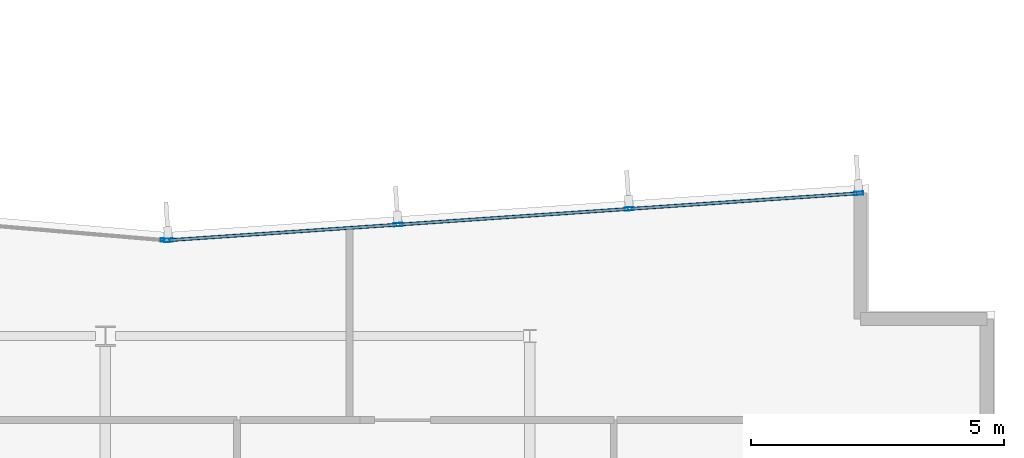
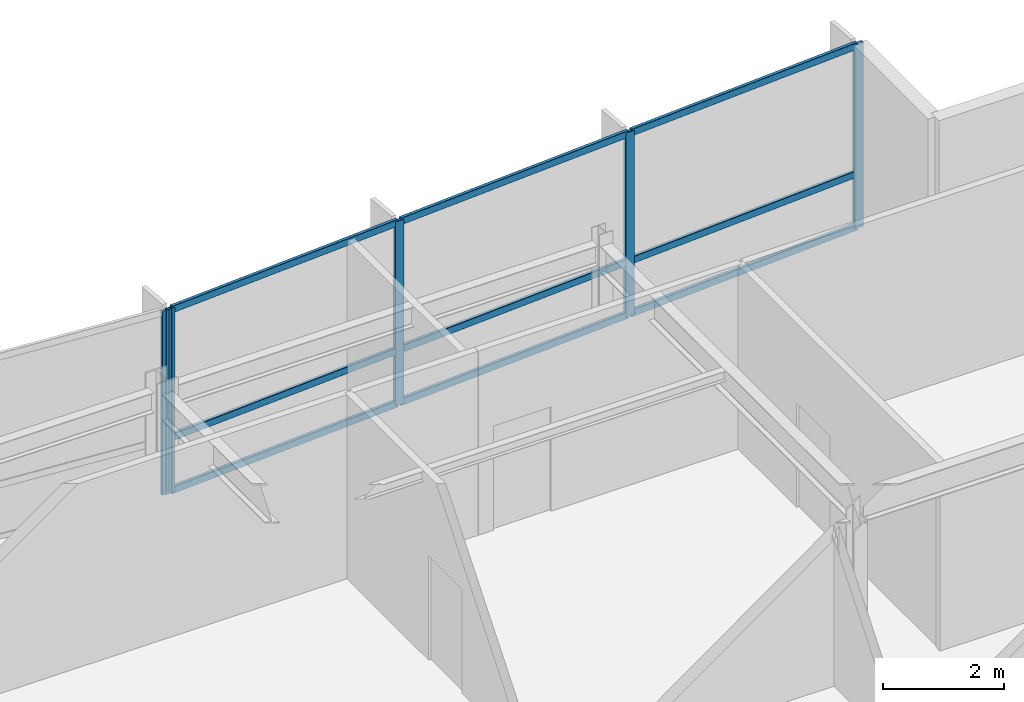
# One storey, part 7 of 15: 14 members, 2 elements without a shape of their own.
"""IFC4 building model written with IfcOpenShell, lengths in metres."""

from ifc_helpers import new_model, si_unit, direction, frame, origin, origin_2d, place, context, subcontext, project, spatial, hollow_rectangle, extrude, material, layer, layer_set, material_profile, profile_set, type_object, element, aggregate, save


model = new_model("IFC4")

# Units and contexts
model_context = context("Model", 3, precision=1e-05, world=origin(), true_north=direction((0.0, 1.0)))
body_context = subcontext(model_context, "Body", "Model", "MODEL_VIEW")
ifc_project = project(units=[si_unit("LENGTHUNIT", "METRE"), si_unit("AREAUNIT", "SQUARE_METRE"), si_unit("VOLUMEUNIT", "CUBIC_METRE"), si_unit("PLANEANGLEUNIT", "RADIAN"), si_unit("MASSUNIT", "GRAM", prefix="KILO")], contexts=[model_context])

# Site, building, storey
site_placement = place(None, origin())
site = spatial("IfcSite", under=ifc_project, at=site_placement, CompositionType="ELEMENT")
building_placement = place(site_placement, origin())
building = spatial("IfcBuilding", under=site, at=building_placement, Name="Varnakote Quay Hospital", CompositionType="ELEMENT")
storey_placement = place(building_placement, frame((0.0, 0.0, 196.050048828125)))
storey = spatial("IfcBuildingStorey", under=building, at=storey_placement, Name="L48", CompositionType="ELEMENT", Elevation=196.050048828125)

# Curtain wall, members
ifc_material_1 = material(Name="Anodised aluminium 6063-T6 Bronze", Category="aluminium")
ifc_layer = layer(ifc_material_1, 0.219970703125)
ifc_layer_set = layer_set([ifc_layer], Name="Anodised aluminium 6063-T6 Bronze")
curtain_wall_type = type_object("IfcCurtainWallType", Name="CW-SYS-4", PredefinedType="NOTDEFINED", material=ifc_layer_set)
curtain_wall_1_placement = place(storey_placement, origin())
curtain_wall_1 = element("IfcCurtainWall", 1, at=curtain_wall_1_placement, inside=storey, type_object=curtain_wall_type, Name="L48 Unitised Bronze Curtain Wall 1", PredefinedType="NOTDEFINED")
ifc_material_2 = material(Name="Anodised aluminium 6063-T6 Bronze", Category="aluminium")
ifc_material_profile_1 = material_profile(ifc_material_2, hollow_rectangle(XDim=0.06494140625, YDim=0.179931640625, WallThickness=0.00390625, InnerFilletRadius=0.00390625, OuterFilletRadius=0.008056640625, at=origin_2d()), Name="CW-MULL-180x65")
ifc_profile_set_1 = profile_set([ifc_material_profile_1], Name="Anodised aluminium 6063-T6 Bronze")
member_type_1 = type_object("IfcMemberType", Name="CW-MULL-180x65", PredefinedType="MULLION", material=ifc_profile_set_1)
member_1_placement = place(storey_placement, frame((48.507568359375, 31.626708984375, 0.0), z_axis=(0.0, 0.0, 1.0), x_axis=(0.067841851077, -0.997696087615, 0.0)))
member_1 = element("IfcMember", 2, at=member_1_placement, type_object=member_type_1, Name="-4-L48-1 mullion 1", PredefinedType="MULLION", context=body_context, shape_type="SweptSolid", body=[
    extrude(hollow_rectangle(XDim=0.06494140625, YDim=0.179931640625, WallThickness=0.00390625, InnerFilletRadius=0.00390625, OuterFilletRadius=0.008056640625, at=origin_2d()), origin(), (0.0, 0.0, 1.0), 3.7099609375),
])
member_2_placement = place(storey_placement, frame((43.96484375, 31.317626953125, 0.0), z_axis=(0.0, 0.0, 1.0), x_axis=(0.067841851077, -0.997696087615, 0.0)))
member_2 = element("IfcMember", 3, at=member_2_placement, type_object=member_type_1, Name="-4-L48-1 mullion 2", PredefinedType="MULLION", context=body_context, shape_type="SweptSolid", body=[
    extrude(hollow_rectangle(XDim=0.06494140625, YDim=0.179931640625, WallThickness=0.00390625, InnerFilletRadius=0.00390625, OuterFilletRadius=0.008056640625, at=origin_2d()), origin(), (0.0, 0.0, 1.0), 3.7099609375),
])
member_3_placement = place(storey_placement, frame((39.389892578125, 31.006591796875, 0.0), z_axis=(0.0, 0.0, 1.0), x_axis=(0.067841851077, -0.997696087615, 0.0)))
member_3 = element("IfcMember", 4, at=member_3_placement, type_object=member_type_1, Name="-4-L48-1 mullion 3", PredefinedType="MULLION", context=body_context, shape_type="SweptSolid", body=[
    extrude(hollow_rectangle(XDim=0.06494140625, YDim=0.179931640625, WallThickness=0.00390625, InnerFilletRadius=0.00390625, OuterFilletRadius=0.008056640625, at=origin_2d()), origin(), (0.0, 0.0, 1.0), 3.7099609375),
])
member_4_placement = place(storey_placement, frame((34.84716796875, 30.69775390625, 0.0), z_axis=(0.0, 0.0, 1.0), x_axis=(0.067841851077, -0.997696087615, 0.0)))
member_4 = element("IfcMember", 5, at=member_4_placement, type_object=member_type_1, Name="-4-L48-1 mullion 4", PredefinedType="MULLION", context=body_context, shape_type="SweptSolid", body=[
    extrude(hollow_rectangle(XDim=0.06494140625, YDim=0.179931640625, WallThickness=0.00390625, InnerFilletRadius=0.00390625, OuterFilletRadius=0.008056640625, at=origin_2d()), origin(), (0.0, 0.0, 1.0), 3.7099609375),
])

# Curtain wall, member
curtain_wall_2_placement = place(storey_placement, origin())
curtain_wall_2 = element("IfcCurtainWall", 6, at=curtain_wall_2_placement, inside=storey, type_object=curtain_wall_type, Name="L48 Unitised Bronze Curtain Wall 2", PredefinedType="NOTDEFINED")
member_5_placement = place(storey_placement, frame((34.7822265625, 30.6982421875, 0.0), z_axis=(0.0, 0.0, 1.0), x_axis=(-0.084136040089, -0.996454277304, 0.0)))
member_5 = element("IfcMember", 7, at=member_5_placement, type_object=member_type_1, Name="-4-L48-2 mullion 1", PredefinedType="MULLION", context=body_context, shape_type="SweptSolid", body=[
    extrude(hollow_rectangle(XDim=0.06494140625, YDim=0.179931640625, WallThickness=0.00390625, InnerFilletRadius=0.00390625, OuterFilletRadius=0.008056640625, at=origin_2d()), origin(), (0.0, 0.0, 1.0), 3.7099609375),
])
aggregate(curtain_wall_2, [member_5])

# Member
ifc_material_3 = material(Name="Anodised aluminium 6063-T6 Bronze", Category="aluminium")
ifc_material_profile_2 = material_profile(ifc_material_3, hollow_rectangle(XDim=0.06494140625, YDim=0.139892578125, WallThickness=0.00390625, InnerFilletRadius=0.00390625, OuterFilletRadius=0.007568359375, at=origin_2d()), Name="CW-TRAN-140x65")
ifc_profile_set_2 = profile_set([ifc_material_profile_2], Name="Anodised aluminium 6063-T6 Bronze")
member_type_2 = type_object("IfcMemberType", Name="CW-TRAN-140x65", PredefinedType="USERDEFINED", material=ifc_profile_set_2)
member_6_placement = place(storey_placement, frame((48.47509765625, 31.62451171875, 0.032470703125), z_axis=(-0.997692996523, -0.067887294022, 0.0), x_axis=(0.067887294022, -0.997692996523, 0.0)))
member_6 = element("IfcMember", 8, at=member_6_placement, type_object=member_type_2, Name="-4-L48-1 transom 1.1", ObjectType="TRANSOM", PredefinedType="USERDEFINED", context=body_context, shape_type="SweptSolid", body=[
    extrude(hollow_rectangle(XDim=0.06494140625, YDim=0.139892578125, WallThickness=0.00390625, InnerFilletRadius=0.00390625, OuterFilletRadius=0.007568359375, at=origin_2d()), origin(), (0.0, 0.0, 1.0), 4.488037109375),
])

member_7_placement = place(storey_placement, frame((48.47509765625, 31.62451171875, 1.099853515625), z_axis=(-0.997692996523, -0.067887294022, 0.0), x_axis=(0.067887294022, -0.997692996523, 0.0)))
member_7 = element("IfcMember", 9, at=member_7_placement, type_object=member_type_2, Name="-4-L48-1 transom 1.2", ObjectType="TRANSOM", PredefinedType="USERDEFINED", context=body_context, shape_type="SweptSolid", body=[
    extrude(hollow_rectangle(XDim=0.06494140625, YDim=0.139892578125, WallThickness=0.00390625, InnerFilletRadius=0.00390625, OuterFilletRadius=0.007568359375, at=origin_2d()), origin(), (0.0, 0.0, 1.0), 4.488037109375),
])

member_8_placement = place(storey_placement, frame((48.47509765625, 31.62451171875, 3.677490234375), z_axis=(-0.997692996523, -0.067887294022, 0.0), x_axis=(0.067887294022, -0.997692996523, 0.0)))
member_8 = element("IfcMember", 10, at=member_8_placement, type_object=member_type_2, Name="-4-L48-1 transom 1.3", ObjectType="TRANSOM", PredefinedType="USERDEFINED", context=body_context, shape_type="SweptSolid", body=[
    extrude(hollow_rectangle(XDim=0.06494140625, YDim=0.139892578125, WallThickness=0.00390625, InnerFilletRadius=0.00390625, OuterFilletRadius=0.007568359375, at=origin_2d()), origin(), (0.0, 0.0, 1.0), 4.488037109375),
])

member_9_placement = place(storey_placement, frame((43.932373046875, 31.3154296875, 0.032470703125), z_axis=(-0.997696835235, -0.06783085553, 0.0), x_axis=(0.06783085553, -0.997696835235, 0.0)))
member_9 = element("IfcMember", 11, at=member_9_placement, type_object=member_type_2, Name="-4-L48-1 transom 2.1", ObjectType="TRANSOM", PredefinedType="USERDEFINED", context=body_context, shape_type="SweptSolid", body=[
    extrude(hollow_rectangle(XDim=0.06494140625, YDim=0.139892578125, WallThickness=0.00390625, InnerFilletRadius=0.00390625, OuterFilletRadius=0.007568359375, at=origin_2d()), origin(), (0.0, 0.0, 1.0), 4.520751953125),
])

member_10_placement = place(storey_placement, frame((43.932373046875, 31.3154296875, 1.099853515625), z_axis=(-0.997696835235, -0.06783085553, 0.0), x_axis=(0.06783085553, -0.997696835235, 0.0)))
member_10 = element("IfcMember", 12, at=member_10_placement, type_object=member_type_2, Name="-4-L48-1 transom 2.2", ObjectType="TRANSOM", PredefinedType="USERDEFINED", context=body_context, shape_type="SweptSolid", body=[
    extrude(hollow_rectangle(XDim=0.06494140625, YDim=0.139892578125, WallThickness=0.00390625, InnerFilletRadius=0.00390625, OuterFilletRadius=0.007568359375, at=origin_2d()), origin(), (0.0, 0.0, 1.0), 4.520751953125),
])

member_11_placement = place(storey_placement, frame((43.932373046875, 31.3154296875, 3.677490234375), z_axis=(-0.997696835235, -0.06783085553, 0.0), x_axis=(0.06783085553, -0.997696835235, 0.0)))
member_11 = element("IfcMember", 13, at=member_11_placement, type_object=member_type_2, Name="-4-L48-1 transom 2.3", ObjectType="TRANSOM", PredefinedType="USERDEFINED", context=body_context, shape_type="SweptSolid", body=[
    extrude(hollow_rectangle(XDim=0.06494140625, YDim=0.139892578125, WallThickness=0.00390625, InnerFilletRadius=0.00390625, OuterFilletRadius=0.007568359375, at=origin_2d()), origin(), (0.0, 0.0, 1.0), 4.520751953125),
])

member_12_placement = place(storey_placement, frame((39.357421875, 31.00439453125, 0.032470703125), z_axis=(-0.997696679404, -0.06783314755, 0.0), x_axis=(0.06783314755, -0.997696679404, 0.0)))
member_12 = element("IfcMember", 14, at=member_12_placement, type_object=member_type_2, Name="-4-L48-1 transom 3.1", ObjectType="TRANSOM", PredefinedType="USERDEFINED", context=body_context, shape_type="SweptSolid", body=[
    extrude(hollow_rectangle(XDim=0.06494140625, YDim=0.139892578125, WallThickness=0.00390625, InnerFilletRadius=0.00390625, OuterFilletRadius=0.007568359375, at=origin_2d()), origin(), (0.0, 0.0, 1.0), 4.488037109375),
])

member_13_placement = place(storey_placement, frame((39.357421875, 31.00439453125, 1.099853515625), z_axis=(-0.997696679404, -0.06783314755, 0.0), x_axis=(0.06783314755, -0.997696679404, 0.0)))
member_13 = element("IfcMember", 15, at=member_13_placement, type_object=member_type_2, Name="-4-L48-1 transom 3.2", ObjectType="TRANSOM", PredefinedType="USERDEFINED", context=body_context, shape_type="SweptSolid", body=[
    extrude(hollow_rectangle(XDim=0.06494140625, YDim=0.139892578125, WallThickness=0.00390625, InnerFilletRadius=0.00390625, OuterFilletRadius=0.007568359375, at=origin_2d()), origin(), (0.0, 0.0, 1.0), 4.488037109375),
])

member_14_placement = place(storey_placement, frame((39.357421875, 31.00439453125, 3.677490234375), z_axis=(-0.997696679404, -0.06783314755, 0.0), x_axis=(0.06783314755, -0.997696679404, 0.0)))
member_14 = element("IfcMember", 16, at=member_14_placement, type_object=member_type_2, Name="-4-L48-1 transom 3.3", ObjectType="TRANSOM", PredefinedType="USERDEFINED", context=body_context, shape_type="SweptSolid", body=[
    extrude(hollow_rectangle(XDim=0.06494140625, YDim=0.139892578125, WallThickness=0.00390625, InnerFilletRadius=0.00390625, OuterFilletRadius=0.007568359375, at=origin_2d()), origin(), (0.0, 0.0, 1.0), 4.488037109375),
])

aggregate(curtain_wall_1, [member_1, member_2, member_3, member_4, member_6, member_7, member_8, member_9, member_10, member_11, member_12, member_13, member_14])

save(model, "model.ifc")
